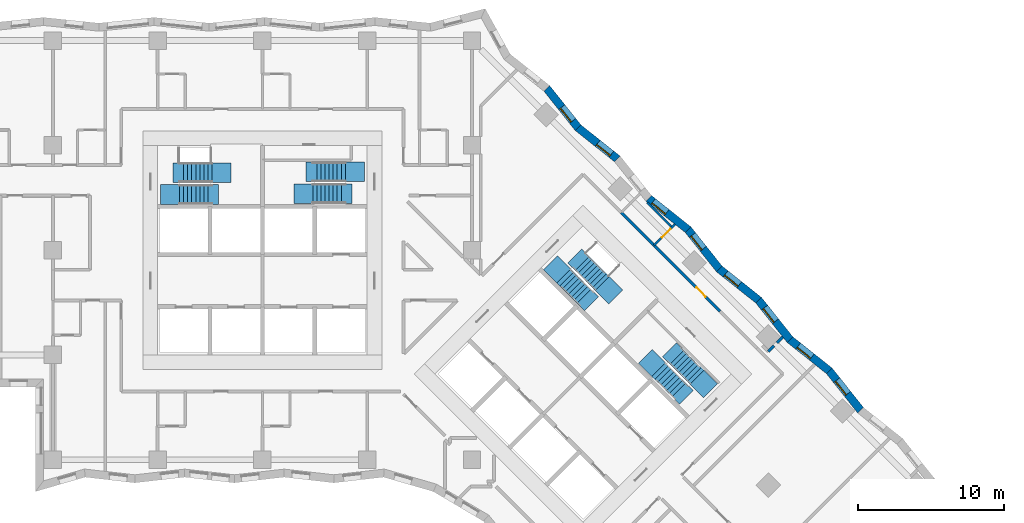
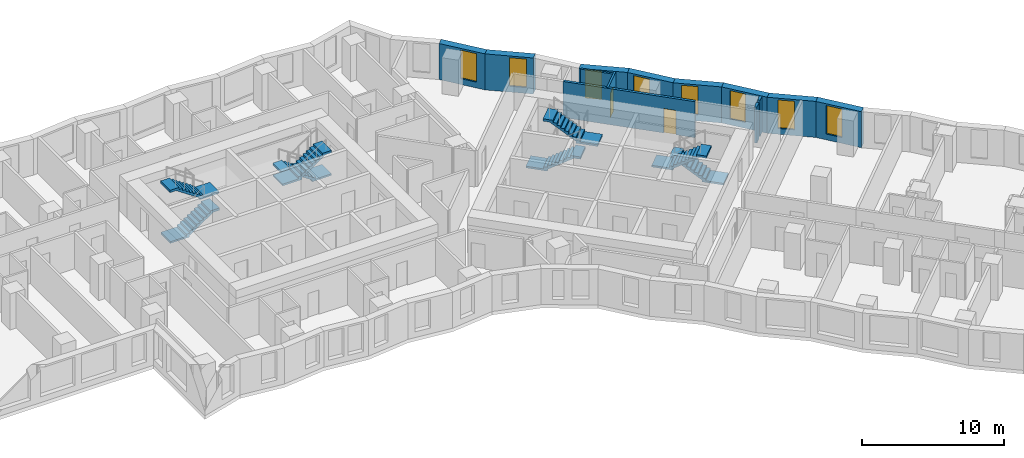
# One storey, part 10 of 12: 13 walls, 8 stair flights, 8 windows, 2 doors, 10 openings, 4 elements without a shape of their own.
"""IFC4 building model written with IfcOpenShell, lengths in metres."""

from ifc_helpers import new_model, si_unit, direction, frame, frame_2d, origin, place, context, subcontext, project, spatial, polyline, rectangle, outline, extrude, material, layer, layer_set, type_object, element, fill, aggregate, save


model = new_model("IFC4")

# Units and contexts
model_context = context("Model", 3, precision=1e-05, world=origin(), true_north=direction((0.0, 1.0)))
body_context = subcontext(model_context, "Body", "Model", "MODEL_VIEW")
ifc_project = project(units=[si_unit("LENGTHUNIT", "METRE"), si_unit("AREAUNIT", "SQUARE_METRE"), si_unit("VOLUMEUNIT", "CUBIC_METRE"), si_unit("PLANEANGLEUNIT", "RADIAN"), si_unit("MASSUNIT", "GRAM", prefix="KILO")], contexts=[model_context])

# Site, building, storey
site_placement = place(None, origin())
site = spatial("IfcSite", under=ifc_project, at=site_placement, CompositionType="ELEMENT")
building_placement = place(site_placement, origin())
building = spatial("IfcBuilding", under=site, at=building_placement, Name="Windrow Commons", CompositionType="ELEMENT")
storey_placement = place(building_placement, frame((0.0, 0.0, 37.2)))
storey = spatial("IfcBuildingStorey", under=building, at=storey_placement, Name="L09", CompositionType="ELEMENT", Elevation=37.2)

# Wall, opening, window
ifc_material_1 = material(Name="Brick masonry, red clay brick", Category="masonry")
ifc_layer_1 = layer(ifc_material_1, 0.55)
ifc_layer_set_1 = layer_set([ifc_layer_1], Name="Brick facade wall 550")
wall_type_1 = type_object("IfcWallType", Name="Brick facade wall 550", PredefinedType="SOLIDWALL", material=ifc_layer_set_1)
wall_1_placement = place(storey_placement, frame((105.9036, 46.602, 0.0), z_axis=(0.0, 0.0, 1.0), x_axis=(-0.6225070424, 0.7826141976, 0.0)))
wall_1 = element("IfcWall", 1, at=wall_1_placement, inside=storey, type_object=wall_type_1, Name="Brick facade wall L09 12", PredefinedType="SOLIDWALL", context=body_context, shape_type="SweptSolid", body=[
    extrude(outline(polyline([(0.0313, -0.275), (3.4853, -0.275), (3.4226, 0.275), (-0.0313, 0.275), (0.0313, -0.275)])), origin(), (0.0, 0.0, 1.0), 3.1),
])
opening_1_placement = place(wall_1_placement, frame((1.4347, 0.0, 0.5)))
opening_1 = element("IfcOpeningElement", 2, at=opening_1_placement, cuts=wall_1, Name="Opening W7D", PredefinedType="OPENING", context=body_context, shape_type="SweptSolid", body=[
    extrude(rectangle(XDim=1.2, YDim=2.45, at=frame_2d((0.6, 1.225))), frame((0.0, 0.285, 0.0), z_axis=(0.0, -1.0, 0.0), x_axis=(1.0, 0.0, 0.0)), (0.0, 0.0, 1.0), 0.57),
])
ifc_material_2 = material(Name="Clear float glass in anodised aluminium frame", Category="aluminium")
window_type = type_object("IfcWindowType", Name="Window W7 notch 1200x2450", PartitioningType="SINGLE_PANEL", PredefinedType="WINDOW", material=ifc_material_2)
window_1_placement = place(opening_1_placement, origin())
window_1 = element("IfcWindow", 3, at=window_1_placement, inside=storey, type_object=window_type, Name="Window L09 12.1", OverallHeight=2.45, OverallWidth=1.2, PartitioningType="SINGLE_PANEL", PredefinedType="WINDOW", context=body_context, shape_type="SweptSolid", body=[
    extrude(rectangle(XDim=1.2, YDim=2.45, at=frame_2d((0.6, 1.225))), frame((0.0, 0.155, 0.0), z_axis=(0.0, -1.0, 0.0), x_axis=(1.0, 0.0, 0.0)), (0.0, 0.0, 1.0), 0.06),
])
fill(opening_1, window_1)

wall_2_placement = place(storey_placement, frame((103.7535, 49.3051, 0.0), z_axis=(0.0, 0.0, 1.0), x_axis=(-0.7826141976, 0.6225070424, 0.0)))
wall_2 = element("IfcWall", 4, at=wall_2_placement, inside=storey, type_object=wall_type_1, Name="Brick facade wall L09 13", PredefinedType="SOLIDWALL", context=body_context, shape_type="SweptSolid", body=[
    extrude(outline(polyline([(-0.0313, -0.275), (3.4226, -0.275), (3.4853, 0.275), (0.0313, 0.275), (-0.0313, -0.275)])), origin(), (0.0, 0.0, 1.0), 3.1),
])
opening_2_placement = place(wall_2_placement, frame((1.5351, 0.0, 0.5)))
opening_2 = element("IfcOpeningElement", 5, at=opening_2_placement, cuts=wall_2, Name="Opening W7D", PredefinedType="OPENING", context=body_context, shape_type="SweptSolid", body=[
    extrude(rectangle(XDim=1.2, YDim=2.45, at=frame_2d((0.6, 1.225))), frame((0.0, 0.285, 0.0), z_axis=(0.0, -1.0, 0.0), x_axis=(1.0, 0.0, 0.0)), (0.0, 0.0, 1.0), 0.57),
])
window_2_placement = place(opening_2_placement, origin())
window_2 = element("IfcWindow", 6, at=window_2_placement, inside=storey, type_object=window_type, Name="Window L09 13.1", OverallHeight=2.45, OverallWidth=1.2, PartitioningType="SINGLE_PANEL", PredefinedType="WINDOW", context=body_context, shape_type="SweptSolid", body=[
    extrude(rectangle(XDim=1.2, YDim=2.45, at=frame_2d((0.6, 1.225))), frame((0.0, 0.155, 0.0), z_axis=(0.0, -1.0, 0.0), x_axis=(1.0, 0.0, 0.0)), (0.0, 0.0, 1.0), 0.06),
])
fill(opening_2, window_2)

wall_3_placement = place(storey_placement, frame((101.0504, 51.4552, 0.0), z_axis=(0.0, 0.0, 1.0), x_axis=(-0.6225070424, 0.7826141976, 0.0)))
wall_3 = element("IfcWall", 7, at=wall_3_placement, inside=storey, type_object=wall_type_1, Name="Brick facade wall L09 14", PredefinedType="SOLIDWALL", context=body_context, shape_type="SweptSolid", body=[
    extrude(outline(polyline([(0.0313, -0.275), (3.4853, -0.275), (3.4226, 0.275), (-0.0313, 0.275), (0.0313, -0.275)])), origin(), (0.0, 0.0, 1.0), 3.1),
])
opening_3_placement = place(wall_3_placement, frame((1.6041, 0.0, 0.5)))
opening_3 = element("IfcOpeningElement", 8, at=opening_3_placement, cuts=wall_3, Name="Opening W7D", PredefinedType="OPENING", context=body_context, shape_type="SweptSolid", body=[
    extrude(rectangle(XDim=1.2, YDim=2.45, at=frame_2d((0.6, 1.225))), frame((0.0, 0.285, 0.0), z_axis=(0.0, -1.0, 0.0), x_axis=(1.0, 0.0, 0.0)), (0.0, 0.0, 1.0), 0.57),
])
window_3_placement = place(opening_3_placement, origin())
window_3 = element("IfcWindow", 9, at=window_3_placement, inside=storey, type_object=window_type, Name="Window L09 14.1", OverallHeight=2.45, OverallWidth=1.2, PartitioningType="SINGLE_PANEL", PredefinedType="WINDOW", context=body_context, shape_type="SweptSolid", body=[
    extrude(rectangle(XDim=1.2, YDim=2.45, at=frame_2d((0.6, 1.225))), frame((0.0, 0.155, 0.0), z_axis=(0.0, -1.0, 0.0), x_axis=(1.0, 0.0, 0.0)), (0.0, 0.0, 1.0), 0.06),
])
fill(opening_3, window_3)

wall_4_placement = place(storey_placement, frame((98.9003, 54.1583, 0.0), z_axis=(0.0, 0.0, 1.0), x_axis=(-0.7826029777, 0.6225211477, 0.0)))
wall_4 = element("IfcWall", 10, at=wall_4_placement, inside=storey, type_object=wall_type_1, Name="Brick facade wall L09 15", PredefinedType="SOLIDWALL", context=body_context, shape_type="SweptSolid", body=[
    extrude(outline(polyline([(-0.0313, -0.275), (3.4226, -0.275), (3.4853, 0.275), (0.0313, 0.275), (-0.0313, -0.275)])), origin(), (0.0, 0.0, 1.0), 3.1),
])
opening_4_placement = place(wall_4_placement, frame((1.7044, 0.0, 0.5)))
opening_4 = element("IfcOpeningElement", 11, at=opening_4_placement, cuts=wall_4, Name="Opening W7D", PredefinedType="OPENING", context=body_context, shape_type="SweptSolid", body=[
    extrude(rectangle(XDim=1.2, YDim=2.45, at=frame_2d((0.6, 1.225))), frame((0.0, 0.285, 0.0), z_axis=(0.0, -1.0, 0.0), x_axis=(1.0, 0.0, 0.0)), (0.0, 0.0, 1.0), 0.57),
])
window_4_placement = place(opening_4_placement, origin())
window_4 = element("IfcWindow", 12, at=window_4_placement, inside=storey, type_object=window_type, Name="Window L09 15.1", OverallHeight=2.45, OverallWidth=1.2, PartitioningType="SINGLE_PANEL", PredefinedType="WINDOW", context=body_context, shape_type="SweptSolid", body=[
    extrude(rectangle(XDim=1.2, YDim=2.45, at=frame_2d((0.6, 1.225))), frame((0.0, 0.155, 0.0), z_axis=(0.0, -1.0, 0.0), x_axis=(1.0, 0.0, 0.0)), (0.0, 0.0, 1.0), 0.06),
])
fill(opening_4, window_4)

wall_5_placement = place(storey_placement, frame((96.1973, 56.3084, 0.0), z_axis=(0.0, 0.0, 1.0), x_axis=(-0.6225070424, 0.7826141976, 0.0)))
wall_5 = element("IfcWall", 13, at=wall_5_placement, inside=storey, type_object=wall_type_1, Name="Brick facade wall L09 16", PredefinedType="SOLIDWALL", context=body_context, shape_type="SweptSolid", body=[
    extrude(outline(polyline([(0.0313, -0.275), (3.4853, -0.275), (3.4226, 0.275), (-0.0313, 0.275), (0.0313, -0.275)])), origin(), (0.0, 0.0, 1.0), 3.1),
])
opening_5_placement = place(wall_5_placement, frame((1.7734, 0.0, 0.5)))
opening_5 = element("IfcOpeningElement", 14, at=opening_5_placement, cuts=wall_5, Name="Opening W7D", PredefinedType="OPENING", context=body_context, shape_type="SweptSolid", body=[
    extrude(rectangle(XDim=1.2, YDim=2.45, at=frame_2d((0.6, 1.225))), frame((0.0, 0.285, 0.0), z_axis=(0.0, -1.0, 0.0), x_axis=(1.0, 0.0, 0.0)), (0.0, 0.0, 1.0), 0.57),
])
window_5_placement = place(opening_5_placement, origin())
window_5 = element("IfcWindow", 15, at=window_5_placement, inside=storey, type_object=window_type, Name="Window L09 16.1", OverallHeight=2.45, OverallWidth=1.2, PartitioningType="SINGLE_PANEL", PredefinedType="WINDOW", context=body_context, shape_type="SweptSolid", body=[
    extrude(rectangle(XDim=1.2, YDim=2.45, at=frame_2d((0.6, 1.225))), frame((0.0, 0.155, 0.0), z_axis=(0.0, -1.0, 0.0), x_axis=(1.0, 0.0, 0.0)), (0.0, 0.0, 1.0), 0.06),
])
fill(opening_5, window_5)

wall_6_placement = place(storey_placement, frame((94.0472, 59.0115, 0.0), z_axis=(0.0, 0.0, 1.0), x_axis=(-0.7826141976, 0.6225070424, 0.0)))
wall_6 = element("IfcWall", 16, at=wall_6_placement, inside=storey, type_object=wall_type_1, Name="Brick facade wall L09 17", PredefinedType="SOLIDWALL", context=body_context, shape_type="SweptSolid", body=[
    extrude(outline(polyline([(-0.0313, -0.275), (3.4226, -0.275), (3.4853, 0.275), (0.0313, 0.275), (-0.0313, -0.275)])), origin(), (0.0, 0.0, 1.0), 3.1),
])
opening_6_placement = place(wall_6_placement, frame((1.8738, 0.0, 0.5)))
opening_6 = element("IfcOpeningElement", 17, at=opening_6_placement, cuts=wall_6, Name="Opening W7D", PredefinedType="OPENING", context=body_context, shape_type="SweptSolid", body=[
    extrude(rectangle(XDim=1.2, YDim=2.45, at=frame_2d((0.6, 1.225))), frame((0.0, 0.285, 0.0), z_axis=(0.0, -1.0, 0.0), x_axis=(1.0, 0.0, 0.0)), (0.0, 0.0, 1.0), 0.57),
])
window_6_placement = place(opening_6_placement, origin())
window_6 = element("IfcWindow", 18, at=window_6_placement, inside=storey, type_object=window_type, Name="Window L09 17.2", OverallHeight=2.45, OverallWidth=1.2, PartitioningType="SINGLE_PANEL", PredefinedType="WINDOW", context=body_context, shape_type="SweptSolid", body=[
    extrude(rectangle(XDim=1.2, YDim=2.45, at=frame_2d((0.6, 1.225))), frame((0.0, 0.155, 0.0), z_axis=(0.0, -1.0, 0.0), x_axis=(1.0, 0.0, 0.0)), (0.0, 0.0, 1.0), 0.06),
])
fill(opening_6, window_6)

wall_7_placement = place(storey_placement, frame((89.194, 63.8647, 0.0), z_axis=(0.0, 0.0, 1.0), x_axis=(-0.7826141976, 0.6225070424, 0.0)))
wall_7 = element("IfcWall", 19, at=wall_7_placement, inside=storey, type_object=wall_type_1, Name="Brick facade wall L09 19", PredefinedType="SOLIDWALL", context=body_context, shape_type="SweptSolid", body=[
    extrude(outline(polyline([(-0.0313, -0.275), (3.4226, -0.275), (3.4853, 0.275), (0.0313, 0.275), (-0.0313, -0.275)])), origin(), (0.0, 0.0, 1.0), 3.1),
])
opening_7_placement = place(wall_7_placement, frame((0.5319, 0.0, 0.5)))
opening_7 = element("IfcOpeningElement", 20, at=opening_7_placement, cuts=wall_7, Name="Opening W7D", PredefinedType="OPENING", context=body_context, shape_type="SweptSolid", body=[
    extrude(rectangle(XDim=1.2, YDim=2.45, at=frame_2d((0.6, 1.225))), frame((0.0, 0.285, 0.0), z_axis=(0.0, -1.0, 0.0), x_axis=(1.0, 0.0, 0.0)), (0.0, 0.0, 1.0), 0.57),
])
window_7_placement = place(opening_7_placement, origin())
window_7 = element("IfcWindow", 21, at=window_7_placement, inside=storey, type_object=window_type, Name="Window L09 19.1", OverallHeight=2.45, OverallWidth=1.2, PartitioningType="SINGLE_PANEL", PredefinedType="WINDOW", context=body_context, shape_type="SweptSolid", body=[
    extrude(rectangle(XDim=1.2, YDim=2.45, at=frame_2d((0.6, 1.225))), frame((0.0, 0.155, 0.0), z_axis=(0.0, -1.0, 0.0), x_axis=(1.0, 0.0, 0.0)), (0.0, 0.0, 1.0), 0.06),
])
fill(opening_7, window_7)

wall_8_placement = place(storey_placement, frame((86.4909, 66.0148, 0.0), z_axis=(0.0, 0.0, 1.0), x_axis=(-0.6225211477, 0.7826029777, 0.0)))
wall_8 = element("IfcWall", 22, at=wall_8_placement, inside=storey, type_object=wall_type_1, Name="Brick facade wall L09 20", PredefinedType="SOLIDWALL", context=body_context, shape_type="SweptSolid", body=[
    extrude(outline(polyline([(0.0313, -0.275), (3.4853, -0.275), (3.4226, 0.275), (-0.0313, 0.275), (0.0313, -0.275)])), origin(), (0.0, 0.0, 1.0), 3.1),
])
opening_8_placement = place(wall_8_placement, frame((0.6009, 0.0, 0.5)))
opening_8 = element("IfcOpeningElement", 23, at=opening_8_placement, cuts=wall_8, Name="Opening W7D", PredefinedType="OPENING", context=body_context, shape_type="SweptSolid", body=[
    extrude(rectangle(XDim=1.2, YDim=2.45, at=frame_2d((0.6, 1.225))), frame((0.0, 0.285, 0.0), z_axis=(0.0, -1.0, 0.0), x_axis=(1.0, 0.0, 0.0)), (0.0, 0.0, 1.0), 0.57),
])
window_8_placement = place(opening_8_placement, origin())
window_8 = element("IfcWindow", 24, at=window_8_placement, inside=storey, type_object=window_type, Name="Window L09 20.1", OverallHeight=2.45, OverallWidth=1.2, PartitioningType="SINGLE_PANEL", PredefinedType="WINDOW", context=body_context, shape_type="SweptSolid", body=[
    extrude(rectangle(XDim=1.2, YDim=2.45, at=frame_2d((0.6, 1.225))), frame((0.0, 0.155, 0.0), z_axis=(0.0, -1.0, 0.0), x_axis=(1.0, 0.0, 0.0)), (0.0, 0.0, 1.0), 0.06),
])
fill(opening_8, window_8)

# Wall, opening, door
ifc_material_3 = material(Name="Blockwork partition", Category="masonry")
ifc_layer_2 = layer(ifc_material_3, 0.2)
ifc_layer_set_2 = layer_set([ifc_layer_2], Name="IW-CORRIDOR-200")
wall_type_2 = type_object("IfcWallType", Name="IW-CORRIDOR-200", PredefinedType="PARTITIONING", material=ifc_layer_set_2)
wall_9_placement = place(storey_placement, frame((89.4506, 60.1886, 0.0), z_axis=(0.0, 0.0, 1.0), x_axis=(0.7071796965, -0.7070338583, 0.0)))
wall_9 = element("IfcWall", 25, at=wall_9_placement, inside=storey, type_object=wall_type_2, Name="W-L09-W013", PredefinedType="PARTITIONING", context=body_context, shape_type="SweptSolid", body=[
    extrude(rectangle(XDim=9.5997, YDim=0.2, at=frame_2d((4.7999, 0.0))), origin(), (0.0, 0.0, 1.0), 3.1),
])
opening_9_placement = place(wall_9_placement, frame((7.3148, 0.0, 0.0)))
opening_9 = element("IfcOpeningElement", 26, at=opening_9_placement, cuts=wall_9, Name="Opening D109F", PredefinedType="OPENING", context=body_context, shape_type="SweptSolid", body=[
    extrude(rectangle(XDim=0.9, YDim=2.1, at=frame_2d((0.45, 1.05))), frame((0.0, 0.11, 0.0), z_axis=(0.0, -1.0, 0.0), x_axis=(1.0, 0.0, 0.0)), (0.0, 0.0, 1.0), 0.22),
])
ifc_material_4 = material(Name="Timber door leaf", Category="wood")
door_type_1 = type_object("IfcDoorType", Name="DT-BEDROOM-900", OperationType="SINGLE_SWING_LEFT", PredefinedType="DOOR", material=ifc_material_4)
door_1_placement = place(opening_9_placement, origin())
door_1 = element("IfcDoor", 27, at=door_1_placement, inside=storey, type_object=door_type_1, Name="D-L09-D047", OperationType="SINGLE_SWING_LEFT", OverallHeight=2.1, OverallWidth=0.9, PredefinedType="DOOR", context=body_context, shape_type="SweptSolid", body=[
    extrude(rectangle(XDim=0.9, YDim=2.1, at=frame_2d((0.45, 1.05))), frame((0.0, 0.025, 0.0), z_axis=(0.0, -1.0, 0.0), x_axis=(1.0, 0.0, 0.0)), (0.0, 0.0, 1.0), 0.05),
])
fill(opening_9, door_1)

# Wall
ifc_material_5 = material(Name="Blockwork partition", Category="masonry")
ifc_layer_3 = layer(ifc_material_5, 0.15)
ifc_layer_set_3 = layer_set([ifc_layer_3], Name="IW-ENSUITE-150")
wall_type_3 = type_object("IfcWallType", Name="IW-ENSUITE-150", PredefinedType="PARTITIONING", material=ifc_layer_set_3)
wall_10_placement = place(storey_placement, frame((91.2458, 60.8811, 0.0), z_axis=(0.0, 0.0, 1.0), x_axis=(0.7071274366, -0.7070861252, 0.0)))
element("IfcWall", 28, at=wall_10_placement, inside=storey, type_object=wall_type_3, Name="W-L09-W073", PredefinedType="PARTITIONING", context=body_context, shape_type="SweptSolid", body=[
    extrude(rectangle(XDim=2.4206, YDim=0.15, at=frame_2d((1.2103, 0.0))), origin(), (0.0, 0.0, 1.0), 3.1),
])

# Wall, opening, door
wall_11_placement = place(storey_placement, frame((91.7148, 57.9292, 0.0), z_axis=(0.0, 0.0, 1.0), x_axis=(0.7071067812, 0.7071067812, 0.0)))
wall_11 = element("IfcWall", 29, at=wall_11_placement, inside=storey, type_object=wall_type_3, Name="W-L09-W120", PredefinedType="PARTITIONING", context=body_context, shape_type="SweptSolid", body=[
    extrude(rectangle(XDim=2.037, YDim=0.15, at=frame_2d((1.0185, 0.0))), origin(), (0.0, 0.0, 1.0), 3.1),
])
opening_10_placement = place(wall_11_placement, frame((0.7839, 0.0, 0.0)))
opening_10 = element("IfcOpeningElement", 30, at=opening_10_placement, cuts=wall_11, Name="Opening D208N", PredefinedType="OPENING", context=body_context, shape_type="SweptSolid", body=[
    extrude(rectangle(XDim=0.8, YDim=2.1, at=frame_2d((0.4, 1.05))), frame((0.0, 0.085, 0.0), z_axis=(0.0, -1.0, 0.0), x_axis=(1.0, 0.0, 0.0)), (0.0, 0.0, 1.0), 0.17),
])
ifc_material_6 = material(Name="Timber door leaf", Category="wood")
door_type_2 = type_object("IfcDoorType", Name="DT-ENSUITE-800", OperationType="SINGLE_SWING_LEFT", PredefinedType="DOOR", material=ifc_material_6)
door_2_placement = place(opening_10_placement, origin())
door_2 = element("IfcDoor", 31, at=door_2_placement, inside=storey, type_object=door_type_2, Name="D-L09-D048", OperationType="SINGLE_SWING_RIGHT", OverallHeight=2.1, OverallWidth=0.8, PredefinedType="DOOR", context=body_context, shape_type="SweptSolid", body=[
    extrude(rectangle(XDim=0.8, YDim=2.1, at=frame_2d((0.4, 1.05))), frame((0.0, 0.025, 0.0), z_axis=(0.0, -1.0, 0.0), x_axis=(1.0, 0.0, 0.0)), (0.0, 0.0, 1.0), 0.05),
])
fill(opening_10, door_2)

# Walls
ifc_material_7 = material(Name="Blockwork partition", Category="masonry")
ifc_layer_4 = layer(ifc_material_7, 0.2)
ifc_layer_set_4 = layer_set([ifc_layer_4], Name="IW-PARTY-200")
wall_type_4 = type_object("IfcWallType", Name="IW-PARTY-200", PredefinedType="PARTITIONING", material=ifc_layer_set_4)
wall_12_placement = place(storey_placement, frame((99.5608, 50.6432, 0.0), z_axis=(0.0, 0.0, 1.0), x_axis=(0.7071067812, 0.7071067812, 0.0)))
element("IfcWall", 32, at=wall_12_placement, inside=storey, type_object=wall_type_4, Name="W-L09-W171", PredefinedType="PARTITIONING", context=body_context, shape_type="SweptSolid", body=[
    extrude(rectangle(XDim=0.5572, YDim=0.2, at=frame_2d((0.2786, 0.0))), origin(), (0.0, 0.0, 1.0), 3.1),
])
wall_13_placement = place(storey_placement, frame((100.1628, 51.2452, 0.0), z_axis=(0.0, 0.0, 1.0), x_axis=(0.7071067812, 0.7071067812, 0.0)))
element("IfcWall", 33, at=wall_13_placement, inside=storey, type_object=wall_type_4, Name="W-L09-W182", PredefinedType="PARTITIONING", context=body_context, shape_type="SweptSolid", body=[
    extrude(rectangle(XDim=0.5539, YDim=0.2, at=frame_2d((0.2769, 0.0))), origin(), (0.0, 0.0, 1.0), 3.1),
])

# Stair, stair flights
ifc_material_8 = material(Name="Concrete C40/50", Category="concrete")
stair_type = type_object("IfcStairType", Name="Core stair", PredefinedType="HALF_TURN_STAIR", material=ifc_material_8)
placement = place(storey_placement, origin())
stair_1 = element("IfcStair", 34, at=placement, inside=storey, type_object=stair_type, Name="L09 Exit stair A1 core A", PredefinedType="HALF_TURN_STAIR")
ifc_material_9 = material(Name="Concrete C40/50", Category="concrete")
stair_flight_type = type_object("IfcStairFlightType", Name="Core stair flight", PredefinedType="STRAIGHT", material=ifc_material_9)
stair_flight_1_placement = place(storey_placement, frame((59.1, 61.425, 0.0), z_axis=(0.0, 0.0, 1.0), x_axis=(1.0, 0.0, 0.0)))
stair_flight_1 = element("IfcStairFlight", 35, at=stair_flight_1_placement, type_object=stair_flight_type, Name="ST-A1 flight 1", NumberOfRisers=9, NumberOfTreads=8, PredefinedType="STRAIGHT", RiserHeight=0.188888889, TreadLength=0.28, context=body_context, shape_type="SweptSolid", body=[
    extrude(outline(polyline([(-1.3, -0.15), (-1.3, 0.0), (0.0, 0.0), (0.0, 0.1889), (0.28, 0.1889), (0.28, 0.3778), (0.56, 0.3778), (0.56, 0.5667), (0.84, 0.5667), (0.84, 0.7556), (1.12, 0.7556), (1.12, 0.9444), (1.4, 0.9444), (1.4, 1.1333), (1.68, 1.1333), (1.68, 1.3222), (1.96, 1.3222), (1.96, 1.5111), (2.24, 1.5111), (2.69, 1.5111), (2.69, 1.3111), (2.24, 1.3111), (2.24, 1.3302), (0.2682, 0.0), (0.2682, -0.15), (-1.3, -0.15)])), frame((0.0, 0.675, 0.0), z_axis=(0.0, -1.0, 0.0), x_axis=(1.0, 0.0, 0.0)), (0.0, 0.0, 1.0), 1.35),
])
stair_flight_2_placement = place(storey_placement, frame((61.34, 62.925, 1.7), z_axis=(0.0, 0.0, 1.0), x_axis=(-1.0, 0.0, 0.0)))
stair_flight_2 = element("IfcStairFlight", 36, at=stair_flight_2_placement, type_object=stair_flight_type, Name="ST-A1 flight 2", NumberOfRisers=9, NumberOfTreads=8, PredefinedType="STRAIGHT", RiserHeight=0.188888889, TreadLength=0.28, context=body_context, shape_type="SweptSolid", body=[
    extrude(outline(polyline([(-1.3, -0.15), (-1.3, 0.0), (0.0, 0.0), (0.0, 0.1889), (0.28, 0.1889), (0.28, 0.3778), (0.56, 0.3778), (0.56, 0.5667), (0.84, 0.5667), (0.84, 0.7556), (1.12, 0.7556), (1.12, 0.9444), (1.4, 0.9444), (1.4, 1.1333), (1.68, 1.1333), (1.68, 1.3222), (1.96, 1.3222), (1.96, 1.5111), (2.24, 1.5111), (2.69, 1.5111), (2.69, 1.3111), (2.24, 1.3111), (2.24, 1.3302), (0.2682, 0.0), (0.2682, -0.15), (-1.3, -0.15)])), frame((0.0, 0.675, 0.0), z_axis=(0.0, -1.0, 0.0), x_axis=(1.0, 0.0, 0.0)), (0.0, 0.0, 1.0), 1.35),
])
aggregate(stair_1, [stair_flight_1, stair_flight_2])

stair_2 = element("IfcStair", 37, at=placement, inside=storey, type_object=stair_type, Name="L09 Exit stair A2 core A", PredefinedType="HALF_TURN_STAIR")
stair_flight_3_placement = place(storey_placement, frame((70.5, 62.98, 0.0), z_axis=(0.0, 0.0, 1.0), x_axis=(-1.0, 0.0, 0.0)))
stair_flight_3 = element("IfcStairFlight", 38, at=stair_flight_3_placement, type_object=stair_flight_type, Name="ST-A2 flight 1", NumberOfRisers=9, NumberOfTreads=8, PredefinedType="STRAIGHT", RiserHeight=0.188888889, TreadLength=0.28, context=body_context, shape_type="SweptSolid", body=[
    extrude(outline(polyline([(-1.3, -0.15), (-1.3, 0.0), (0.0, 0.0), (0.0, 0.1889), (0.28, 0.1889), (0.28, 0.3778), (0.56, 0.3778), (0.56, 0.5667), (0.84, 0.5667), (0.84, 0.7556), (1.12, 0.7556), (1.12, 0.9444), (1.4, 0.9444), (1.4, 1.1333), (1.68, 1.1333), (1.68, 1.3222), (1.96, 1.3222), (1.96, 1.5111), (2.24, 1.5111), (2.69, 1.5111), (2.69, 1.3111), (2.24, 1.3111), (2.24, 1.3302), (0.2682, 0.0), (0.2682, -0.15), (-1.3, -0.15)])), frame((0.0, 0.675, 0.0), z_axis=(0.0, -1.0, 0.0), x_axis=(1.0, 0.0, 0.0)), (0.0, 0.0, 1.0), 1.35),
])
stair_flight_4_placement = place(storey_placement, frame((68.26, 61.48, 1.7), z_axis=(0.0, 0.0, 1.0), x_axis=(1.0, 0.0, 0.0)))
stair_flight_4 = element("IfcStairFlight", 39, at=stair_flight_4_placement, type_object=stair_flight_type, Name="ST-A2 flight 2", NumberOfRisers=9, NumberOfTreads=8, PredefinedType="STRAIGHT", RiserHeight=0.188888889, TreadLength=0.28, context=body_context, shape_type="SweptSolid", body=[
    extrude(outline(polyline([(-1.3, -0.15), (-1.3, 0.0), (0.0, 0.0), (0.0, 0.1889), (0.28, 0.1889), (0.28, 0.3778), (0.56, 0.3778), (0.56, 0.5667), (0.84, 0.5667), (0.84, 0.7556), (1.12, 0.7556), (1.12, 0.9444), (1.4, 0.9444), (1.4, 1.1333), (1.68, 1.1333), (1.68, 1.3222), (1.96, 1.3222), (1.96, 1.5111), (2.24, 1.5111), (2.69, 1.5111), (2.69, 1.3111), (2.24, 1.3111), (2.24, 1.3302), (0.2682, 0.0), (0.2682, -0.15), (-1.3, -0.15)])), frame((0.0, 0.675, 0.0), z_axis=(0.0, -1.0, 0.0), x_axis=(1.0, 0.0, 0.0)), (0.0, 0.0, 1.0), 1.35),
])
aggregate(stair_2, [stair_flight_3, stair_flight_4])

stair_3 = element("IfcStair", 40, at=placement, inside=storey, type_object=stair_type, Name="L09 Exit stair B1 core B", PredefinedType="HALF_TURN_STAIR")
stair_flight_5_placement = place(storey_placement, frame((85.5109, 55.8249, 0.0), z_axis=(0.0, 0.0, 1.0), x_axis=(0.7071067812, -0.7071067812, 0.0)))
stair_flight_5 = element("IfcStairFlight", 41, at=stair_flight_5_placement, type_object=stair_flight_type, Name="ST-B1 flight 1", NumberOfRisers=9, NumberOfTreads=8, PredefinedType="STRAIGHT", RiserHeight=0.188888889, TreadLength=0.28, context=body_context, shape_type="SweptSolid", body=[
    extrude(outline(polyline([(-1.3, -0.15), (-1.3, 0.0), (0.0, 0.0), (0.0, 0.1889), (0.28, 0.1889), (0.28, 0.3778), (0.56, 0.3778), (0.56, 0.5667), (0.84, 0.5667), (0.84, 0.7556), (1.12, 0.7556), (1.12, 0.9444), (1.4, 0.9444), (1.4, 1.1333), (1.68, 1.1333), (1.68, 1.3222), (1.96, 1.3222), (1.96, 1.5111), (2.24, 1.5111), (2.69, 1.5111), (2.69, 1.3111), (2.24, 1.3111), (2.24, 1.3302), (0.2682, 0.0), (0.2682, -0.15), (-1.3, -0.15)])), frame((0.0, 0.675, 0.0), z_axis=(0.0, -1.0, 0.0), x_axis=(1.0, 0.0, 0.0)), (0.0, 0.0, 1.0), 1.35),
])
stair_flight_6_placement = place(storey_placement, frame((88.1555, 55.3017, 1.7), z_axis=(0.0, 0.0, 1.0), x_axis=(-0.7071067812, 0.7071067812, 0.0)))
stair_flight_6 = element("IfcStairFlight", 42, at=stair_flight_6_placement, type_object=stair_flight_type, Name="ST-B1 flight 2", NumberOfRisers=9, NumberOfTreads=8, PredefinedType="STRAIGHT", RiserHeight=0.188888889, TreadLength=0.28, context=body_context, shape_type="SweptSolid", body=[
    extrude(outline(polyline([(-1.3, -0.15), (-1.3, 0.0), (0.0, 0.0), (0.0, 0.1889), (0.28, 0.1889), (0.28, 0.3778), (0.56, 0.3778), (0.56, 0.5667), (0.84, 0.5667), (0.84, 0.7556), (1.12, 0.7556), (1.12, 0.9444), (1.4, 0.9444), (1.4, 1.1333), (1.68, 1.1333), (1.68, 1.3222), (1.96, 1.3222), (1.96, 1.5111), (2.24, 1.5111), (2.69, 1.5111), (2.69, 1.3111), (2.24, 1.3111), (2.24, 1.3302), (0.2682, 0.0), (0.2682, -0.15), (-1.3, -0.15)])), frame((0.0, 0.675, 0.0), z_axis=(0.0, -1.0, 0.0), x_axis=(1.0, 0.0, 0.0)), (0.0, 0.0, 1.0), 1.35),
])
aggregate(stair_3, [stair_flight_5, stair_flight_6])

stair_4 = element("IfcStair", 43, at=placement, inside=storey, type_object=stair_type, Name="L09 Exit stair B2 core B", PredefinedType="HALF_TURN_STAIR")
stair_flight_7_placement = place(storey_placement, frame((94.6715, 48.8635, 0.0), z_axis=(0.0, 0.0, 1.0), x_axis=(-0.7071067812, 0.7071067812, 0.0)))
stair_flight_7 = element("IfcStairFlight", 44, at=stair_flight_7_placement, type_object=stair_flight_type, Name="ST-B2 flight 1", NumberOfRisers=9, NumberOfTreads=8, PredefinedType="STRAIGHT", RiserHeight=0.188888889, TreadLength=0.28, context=body_context, shape_type="SweptSolid", body=[
    extrude(outline(polyline([(-1.3, -0.15), (-1.3, 0.0), (0.0, 0.0), (0.0, 0.1889), (0.28, 0.1889), (0.28, 0.3778), (0.56, 0.3778), (0.56, 0.5667), (0.84, 0.5667), (0.84, 0.7556), (1.12, 0.7556), (1.12, 0.9444), (1.4, 0.9444), (1.4, 1.1333), (1.68, 1.1333), (1.68, 1.3222), (1.96, 1.3222), (1.96, 1.5111), (2.24, 1.5111), (2.69, 1.5111), (2.69, 1.3111), (2.24, 1.3111), (2.24, 1.3302), (0.2682, 0.0), (0.2682, -0.15), (-1.3, -0.15)])), frame((0.0, 0.675, 0.0), z_axis=(0.0, -1.0, 0.0), x_axis=(1.0, 0.0, 0.0)), (0.0, 0.0, 1.0), 1.35),
])
stair_flight_8_placement = place(storey_placement, frame((92.0269, 49.3867, 1.7), z_axis=(0.0, 0.0, 1.0), x_axis=(0.7071067812, -0.7071067812, 0.0)))
stair_flight_8 = element("IfcStairFlight", 45, at=stair_flight_8_placement, type_object=stair_flight_type, Name="ST-B2 flight 2", NumberOfRisers=9, NumberOfTreads=8, PredefinedType="STRAIGHT", RiserHeight=0.188888889, TreadLength=0.28, context=body_context, shape_type="SweptSolid", body=[
    extrude(outline(polyline([(-1.3, -0.15), (-1.3, 0.0), (0.0, 0.0), (0.0, 0.1889), (0.28, 0.1889), (0.28, 0.3778), (0.56, 0.3778), (0.56, 0.5667), (0.84, 0.5667), (0.84, 0.7556), (1.12, 0.7556), (1.12, 0.9444), (1.4, 0.9444), (1.4, 1.1333), (1.68, 1.1333), (1.68, 1.3222), (1.96, 1.3222), (1.96, 1.5111), (2.24, 1.5111), (2.69, 1.5111), (2.69, 1.3111), (2.24, 1.3111), (2.24, 1.3302), (0.2682, 0.0), (0.2682, -0.15), (-1.3, -0.15)])), frame((0.0, 0.675, 0.0), z_axis=(0.0, -1.0, 0.0), x_axis=(1.0, 0.0, 0.0)), (0.0, 0.0, 1.0), 1.35),
])
aggregate(stair_4, [stair_flight_7, stair_flight_8])

save(model, "model.ifc")
